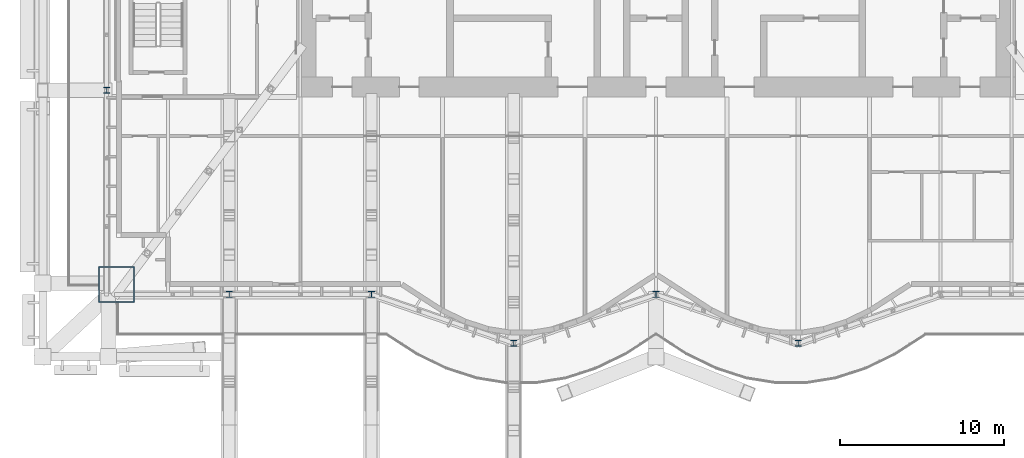
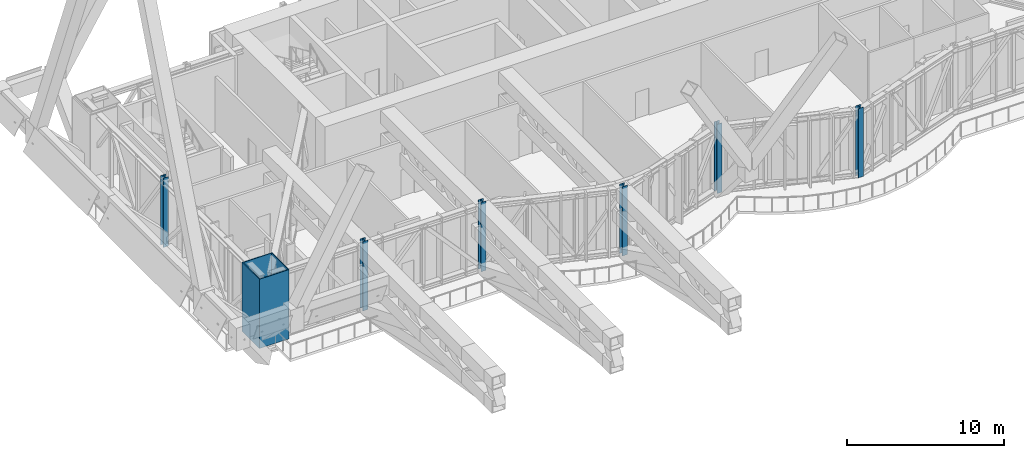
# One storey, part 1 of 30: 7 columns.
"""IFC4 building model written with IfcOpenShell, lengths in metres."""

from ifc_helpers import new_model, si_unit, direction, frame, origin, origin_2d, place, context, subcontext, project, spatial, hollow_rectangle, i_section, extrude, material, material_profile, profile_set, type_object, element, save


model = new_model("IFC4")

# Units and contexts
model_context = context("Model", 3, precision=1e-05, world=origin(), true_north=direction((0.0, 1.0)))
body_context = subcontext(model_context, "Body", "Model", "MODEL_VIEW")
ifc_project = project(units=[si_unit("LENGTHUNIT", "METRE"), si_unit("AREAUNIT", "SQUARE_METRE"), si_unit("VOLUMEUNIT", "CUBIC_METRE"), si_unit("PLANEANGLEUNIT", "RADIAN"), si_unit("MASSUNIT", "GRAM", prefix="KILO")], contexts=[model_context])

# Site, building, storey
site_placement = place(None, origin())
site = spatial("IfcSite", under=ifc_project, at=site_placement, CompositionType="ELEMENT")
building_placement = place(site_placement, origin())
building = spatial("IfcBuilding", under=site, at=building_placement, Name="Bicima Exchange Tower", CompositionType="ELEMENT")
storey_placement = place(building_placement, frame((0.0, 0.0, 287.60009765625)))
storey = spatial("IfcBuildingStorey", under=building, at=storey_placement, Name="L65", CompositionType="ELEMENT", Elevation=287.60009765625)

# Columns
ifc_material_1 = material(Name="Steel ASTM A572 Gr 50", Category="steel")
ifc_material_profile_1 = material_profile(ifc_material_1, hollow_rectangle(XDim=2.199951171875, YDim=2.199951171875, WallThickness=0.06005859375, at=origin_2d()))
ifc_profile_set_1 = profile_set([ifc_material_profile_1], Name="Steel ASTM A572 Gr 50")
column_type_1 = type_object("IfcColumnType", Name="Mega column BOX 2200x2200x60", PredefinedType="COLUMN", material=ifc_profile_set_1)
column_placement = place(storey_placement, frame((-33.0, -24.48193359375, 0.0), z_axis=(0.0, 0.0, 1.0), x_axis=(1.0, 0.0, 0.0)))
element("IfcColumn", 1, at=column_placement, inside=storey, type_object=column_type_1, Name="Mega column mega-33.0f", PredefinedType="COLUMN", context=body_context, shape_type="SweptSolid", body=[
    extrude(hollow_rectangle(XDim=2.199951171875, YDim=2.199951171875, WallThickness=0.06005859375, at=origin_2d()), origin(), (0.0, 0.0, 1.0), 5.39990234375),
])
ifc_material_2 = material(Name="Steel ASTM A992 Gr 50", Category="steel")
ifc_material_profile_2 = material_profile(ifc_material_2, i_section(OverallWidth=0.370849609375, OverallDepth=0.36328125, WebThickness=0.013427734375, FlangeThickness=0.021728515625, at=origin_2d()))
ifc_profile_set_2 = profile_set([ifc_material_profile_2], Name="Steel ASTM A992 Gr 50")
column_type_2 = type_object("IfcColumnType", Name="Perimeter column W14x109", PredefinedType="COLUMN", material=ifc_profile_set_2)
for number, where, z_axis, x_axis, name in (
    (2, (-26.10009765625, -25.08203125, 0.0), (0.0, 0.0, 1.0), (1.0, 0.0, 0.0), "Perimeter column grav-26.1f"),
    (3, (-17.39990234375, -25.08203125, 0.0), (0.0, 0.0, 1.0), (1.0, 0.0, 0.0), "Perimeter column grav-17.4f"),
    (4, (-8.699951171875, -28.072998046875, 0.0), (0.0, 0.0, 1.0), (1.0, 0.0, 0.0), "Perimeter column grav-8.7f"),
    (5, (0.0, -25.08203125, 0.0), (0.0, 0.0, 1.0), (1.0, 0.0, 0.0), "Perimeter column grav-0.0f"),
    (6, (8.699951171875, -28.072998046875, 0.0), (0.0, 0.0, 1.0), (1.0, 0.0, 0.0), "Perimeter column grav+8.7f"),
    (7, (-33.60009765625, -12.60009765625, 0.0), (0.0, 0.0, 1.0), (1.0, 0.0, 0.0), "End column end-33.6e"),
):
    element("IfcColumn", number, at=place(storey_placement, frame(where, z_axis=z_axis, x_axis=x_axis)), inside=storey, type_object=column_type_2, Name=name, PredefinedType="COLUMN", context=body_context, shape_type="SweptSolid", body=[
        extrude(i_section(OverallWidth=0.370849609375, OverallDepth=0.36328125, WebThickness=0.013427734375, FlangeThickness=0.021728515625, at=origin_2d()), origin(), (0.0, 0.0, 1.0), 5.39990234375),
    ])

save(model, "model.ifc")
